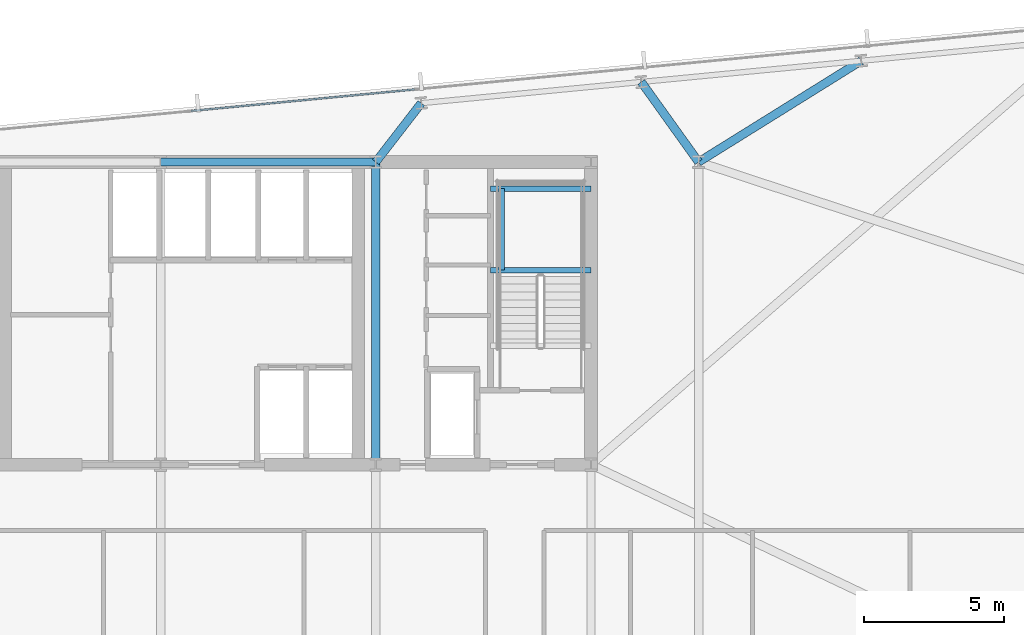
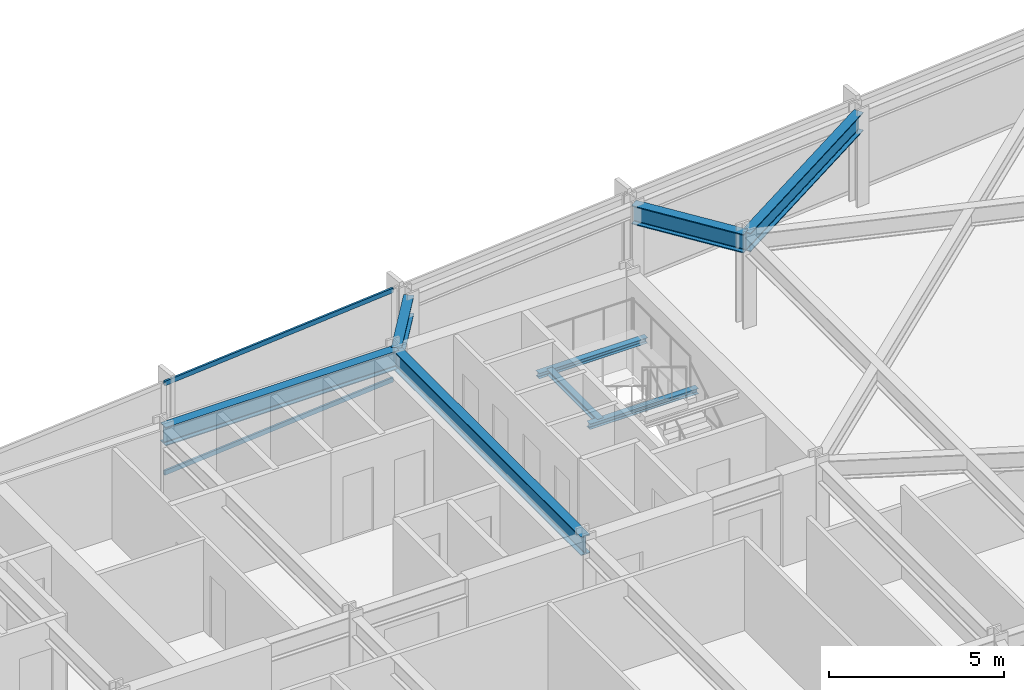
# One storey, part 20 of 33: 8 beams, 2 members, 1 element without a shape of its own.
"""IFC4 building model written with IfcOpenShell, lengths in metres."""

from ifc_helpers import new_model, si_unit, direction, frame, origin, origin_2d, place, context, subcontext, project, spatial, hollow_rectangle, i_section, extrude, material, material_profile, profile_set, type_object, element, aggregate, save


model = new_model("IFC4")

# Units and contexts
model_context = context("Model", 3, precision=1e-05, world=origin(), true_north=direction((0.0, 1.0)))
body_context = subcontext(model_context, "Body", "Model", "MODEL_VIEW")
ifc_project = project(units=[si_unit("LENGTHUNIT", "METRE"), si_unit("AREAUNIT", "SQUARE_METRE"), si_unit("VOLUMEUNIT", "CUBIC_METRE"), si_unit("PLANEANGLEUNIT", "RADIAN"), si_unit("MASSUNIT", "GRAM", prefix="KILO")], contexts=[model_context])

# Site, building, storey
site_placement = place(None, origin())
site = spatial("IfcSite", under=ifc_project, at=site_placement, CompositionType="ELEMENT")
building_placement = place(site_placement, origin())
building = spatial("IfcBuilding", under=site, at=building_placement, Name="Yelkora Congress Tower", CompositionType="ELEMENT")
storey_placement = place(building_placement, frame((0.0, 0.0, 127.10009765625)))
storey = spatial("IfcBuildingStorey", under=building, at=storey_placement, Name="L34", CompositionType="ELEMENT", Elevation=127.10009765625)

# Beams
ifc_material_1 = material(Name="Steel S355J2", Category="steel")
ifc_material_profile_1 = material_profile(ifc_material_1, i_section(OverallWidth=0.300048828125, OverallDepth=0.64990234375, WebThickness=0.01611328125, FlangeThickness=0.031005859375, FilletRadius=0.027099609375, at=origin_2d()), Name="HEB 650")
ifc_profile_set_1 = profile_set([ifc_material_profile_1], Name="Steel S355J2")
beam_type_1 = type_object("IfcBeamType", Name="BM-GIRD-HEB650", PredefinedType="BEAM", material=ifc_profile_set_1)
beam_1_placement = place(storey_placement, frame((38.39990234375, 46.199951171875, 2.85498046875), z_axis=(1.0, 0.0, 0.0), x_axis=(0.0, 1.0, 0.0)))
element("IfcBeam", 1, at=beam_1_placement, inside=storey, type_object=beam_type_1, Name="L34 Core North Girder 4", PredefinedType="BEAM", context=body_context, shape_type="SweptSolid", body=[
    extrude(i_section(OverallWidth=0.300048828125, OverallDepth=0.64990234375, WebThickness=0.01611328125, FlangeThickness=0.031005859375, FilletRadius=0.027099609375, at=origin_2d()), origin(), (0.0, 0.0, 1.0), 7.68017578125),
])
beam_2_placement = place(storey_placement, frame((46.080078125, 35.39990234375, 2.85498046875), z_axis=(0.0, 1.0, 0.0), x_axis=(-1.0, 0.0, 0.0)))
element("IfcBeam", 2, at=beam_2_placement, inside=storey, type_object=beam_type_1, Name="L34 Core Tie Girder MC-S4", PredefinedType="BEAM", context=body_context, shape_type="SweptSolid", body=[
    extrude(i_section(OverallWidth=0.300048828125, OverallDepth=0.64990234375, WebThickness=0.01611328125, FlangeThickness=0.031005859375, FilletRadius=0.027099609375, at=origin_2d()), origin(), (0.0, 0.0, 1.0), 10.800048828125),
])
beam_3_placement = place(storey_placement, frame((47.70458984375, 48.300537109375, 2.85498046875), z_axis=(-0.611761448665, -0.791042306029, 0.0), x_axis=(0.791042306029, -0.611761448665, 0.0)))
element("IfcBeam", 3, at=beam_3_placement, inside=storey, type_object=beam_type_1, Name="L34 Primary Frame Girder N05", PredefinedType="BEAM", context=body_context, shape_type="SweptSolid", body=[
    extrude(i_section(OverallWidth=0.300048828125, OverallDepth=0.64990234375, WebThickness=0.01611328125, FlangeThickness=0.031005859375, FilletRadius=0.027099609375, at=origin_2d()), origin(), (0.0, 0.0, 1.0), 2.655517578125),
])
beam_4_placement = place(storey_placement, frame((55.553955078125, 49.056396484375, 2.85498046875), z_axis=(0.582335305303, -0.81294870207, 0.0), x_axis=(0.81294870207, 0.582335305303, 0.0)))
element("IfcBeam", 4, at=beam_4_placement, inside=storey, type_object=beam_type_1, Name="L34 Primary Frame Girder N06", PredefinedType="BEAM", context=body_context, shape_type="SweptSolid", body=[
    extrude(i_section(OverallWidth=0.300048828125, OverallDepth=0.64990234375, WebThickness=0.01611328125, FlangeThickness=0.031005859375, FilletRadius=0.027099609375, at=origin_2d()), origin(), (0.0, 0.0, 1.0), 3.513671875),
])
beam_5_placement = place(storey_placement, frame((63.4033203125, 49.81201171875, 2.85498046875), z_axis=(-0.848980050527, -0.528424898929, 0.0), x_axis=(0.528424898929, -0.848980050527, 0.0)))
element("IfcBeam", 5, at=beam_5_placement, inside=storey, type_object=beam_type_1, Name="L34 Primary Frame Girder N07", PredefinedType="BEAM", context=body_context, shape_type="SweptSolid", body=[
    extrude(i_section(OverallWidth=0.300048828125, OverallDepth=0.64990234375, WebThickness=0.01611328125, FlangeThickness=0.031005859375, FilletRadius=0.027099609375, at=origin_2d()), origin(), (0.0, 0.0, 1.0), 6.83544921875),
])
ifc_material_profile_2 = material_profile(ifc_material_1, i_section(OverallWidth=0.199951171875, OverallDepth=0.18994140625, WebThickness=0.006591796875, FlangeThickness=0.010009765625, FilletRadius=0.01806640625, at=origin_2d()), Name="HEA 200")
ifc_profile_set_2 = profile_set([ifc_material_profile_2], Name="Steel S355J2")
beam_type_2 = type_object("IfcBeamType", Name="BM-LAND-HEA200", PredefinedType="BEAM", material=ifc_profile_set_2)
for number, where, z_axis, x_axis, name in (
    (6, (50.179931640625, 42.340087890625, 1.384521484375), (1.0, 0.0, 0.0), (0.0, 1.0, 0.0), "ST-02 L34 Landing Header Beam 1S"),
    (7, (50.179931640625, 45.25, 1.384521484375), (1.0, 0.0, 0.0), (0.0, 1.0, 0.0), "ST-02 L34 Landing Header Beam 1N"),
):
    element("IfcBeam", number, at=place(storey_placement, frame(where, z_axis=z_axis, x_axis=x_axis)), inside=storey, type_object=beam_type_2, Name=name, PredefinedType="BEAM", context=body_context, shape_type="SweptSolid", body=[
        extrude(i_section(OverallWidth=0.199951171875, OverallDepth=0.18994140625, WebThickness=0.006591796875, FlangeThickness=0.010009765625, FilletRadius=0.01806640625, at=origin_2d()), origin(), (0.0, 0.0, 1.0), 3.580078125),
    ])
beam_6_placement = place(storey_placement, frame((50.580078125, 42.340087890625, 1.384521484375), z_axis=(0.0, 1.0, 0.0), x_axis=(-1.0, 0.0, 0.0)))
element("IfcBeam", 8, at=beam_6_placement, inside=storey, type_object=beam_type_2, Name="ST-02 L34 Landing Trimmer Beam 1M", PredefinedType="BEAM", context=body_context, shape_type="SweptSolid", body=[
    extrude(i_section(OverallWidth=0.199951171875, OverallDepth=0.18994140625, WebThickness=0.006591796875, FlangeThickness=0.010009765625, FilletRadius=0.01806640625, at=origin_2d()), origin(), (0.0, 0.0, 1.0), 2.909912109375),
])

# Curtain wall, members
ifc_material_2 = material(Name="Anodised aluminium and insulated glass", Category="aluminium")
curtain_wall_type = type_object("IfcCurtainWallType", Name="CW-SYS-B2", PredefinedType="NOTDEFINED", material=ifc_material_2)
curtain_wall_placement = place(storey_placement, origin())
curtain_wall = element("IfcCurtainWall", 9, at=curtain_wall_placement, inside=storey, type_object=curtain_wall_type, Name="L34 Unitised Curtain Wall 10 (3)", PredefinedType="NOTDEFINED")
ifc_material_3 = material(Name="Anodised aluminium 6063-T6", Category="aluminium")
ifc_material_profile_3 = material_profile(ifc_material_3, hollow_rectangle(XDim=0.06494140625, YDim=0.159912109375, WallThickness=0.00390625, at=origin_2d()), Name="ALU 65x160x4")
ifc_profile_set_3 = profile_set([ifc_material_profile_3], Name="Anodised aluminium 6063-T6")
member_type = type_object("IfcMemberType", Name="MEM-TR-B2", PredefinedType="USERDEFINED", material=ifc_profile_set_3)
member_1_placement = place(storey_placement, frame((39.48681640625, 48.021728515625, 0.032470703125), z_axis=(0.995397513894, 0.095832089266, 0.0), x_axis=(-0.095832089266, 0.995397513894, 0.0)))
member_1 = element("IfcMember", 10, at=member_1_placement, type_object=member_type, Name="CW-B2 transom 3.1", ObjectType="TRANSOM", PredefinedType="USERDEFINED", context=body_context, shape_type="SweptSolid", body=[
    extrude(hollow_rectangle(XDim=0.06494140625, YDim=0.159912109375, WallThickness=0.00390625, at=origin_2d()), origin(), (0.0, 0.0, 1.0), 8.007080078125),
])
member_2_placement = place(storey_placement, frame((39.48681640625, 48.021728515625, 3.1474609375), z_axis=(0.995397513894, 0.095832089266, 0.0), x_axis=(-0.095832089266, 0.995397513894, 0.0)))
member_2 = element("IfcMember", 11, at=member_2_placement, type_object=member_type, Name="CW-B2 transom 3.2", ObjectType="TRANSOM", PredefinedType="USERDEFINED", context=body_context, shape_type="SweptSolid", body=[
    extrude(hollow_rectangle(XDim=0.06494140625, YDim=0.159912109375, WallThickness=0.00390625, at=origin_2d()), origin(), (0.0, 0.0, 1.0), 8.007080078125),
])
aggregate(curtain_wall, [member_1, member_2])

save(model, "model.ifc")
